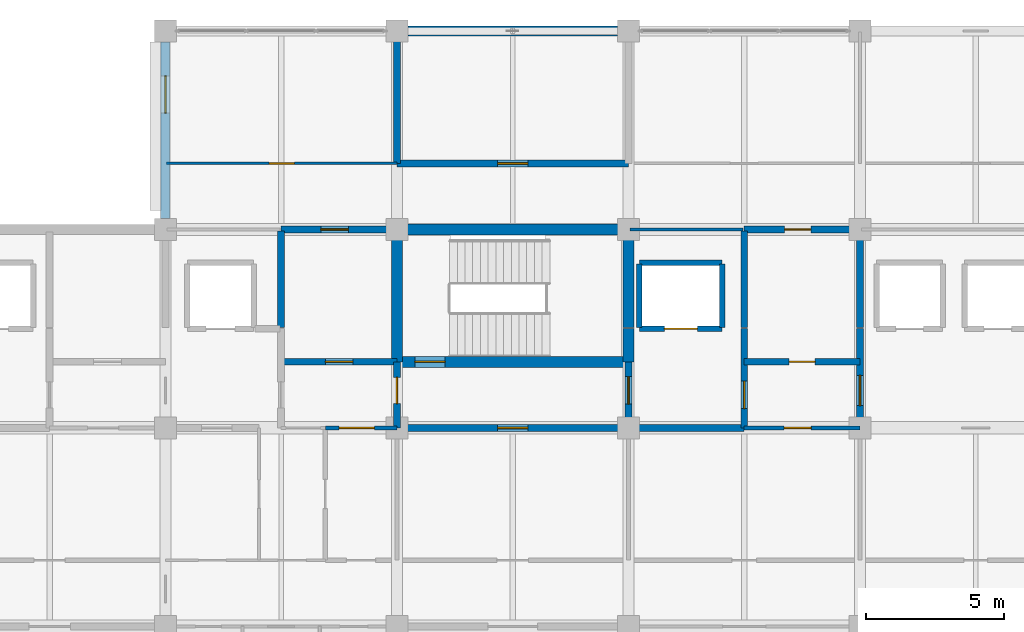
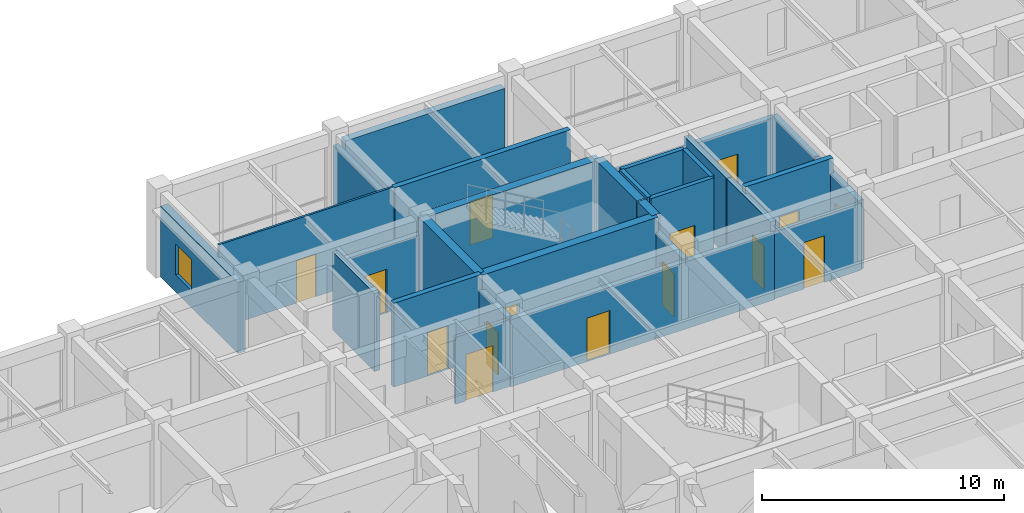
# One storey, part 27 of 40: 29 walls, 15 doors, 1 window, 16 openings.
"""IFC4 building model written with IfcOpenShell, lengths in metres."""

from ifc_helpers import new_model, si_unit, direction, frame, frame_2d, origin, place, context, subcontext, project, spatial, rectangle, extrude, material, layer, layer_set, type_object, element, fill, save


model = new_model("IFC4")

# Units and contexts
model_context = context("Model", 3, precision=1e-05, world=origin(), true_north=direction((0.0, 1.0)))
body_context = subcontext(model_context, "Body", "Model", "MODEL_VIEW")
ifc_project = project(units=[si_unit("LENGTHUNIT", "METRE"), si_unit("AREAUNIT", "SQUARE_METRE"), si_unit("VOLUMEUNIT", "CUBIC_METRE"), si_unit("PLANEANGLEUNIT", "RADIAN"), si_unit("MASSUNIT", "GRAM", prefix="KILO")], contexts=[model_context])

# Site, building, storey
site_placement = place(None, origin())
site = spatial("IfcSite", under=ifc_project, at=site_placement, CompositionType="ELEMENT")
building_placement = place(site_placement, origin())
building = spatial("IfcBuilding", under=site, at=building_placement, Name="Chengyuan Square Courthouse", CompositionType="ELEMENT")
storey_placement = place(building_placement, frame((0.0, 0.0, 21.60009765625)))
storey = spatial("IfcBuildingStorey", under=building, at=storey_placement, Name="L05", CompositionType="ELEMENT", Elevation=21.60009765625)

# Wall, opening, window
ifc_material_1 = material(Name="Concrete C40", Category="concrete")
ifc_layer_1 = layer(ifc_material_1, 0.35009765625)
ifc_layer_set_1 = layer_set([ifc_layer_1], Name="Concrete C40")
wall_type_1 = type_object("IfcWallType", Name="WL-EW2", PredefinedType="STANDARD", material=ifc_layer_set_1)
wall_1_placement = place(storey_placement, frame((50.39990234375, 108.39501953125, 0.0), z_axis=(0.0, 0.0, 1.0), x_axis=(0.0, 1.0, 0.0)))
wall_1 = element("IfcWall", 1, at=wall_1_placement, inside=storey, type_object=wall_type_1, Name="Exterior Wall WL-L05-E344", PredefinedType="STANDARD", context=body_context, shape_type="SweptSolid", body=[
    extrude(rectangle(XDim=6.409912109375, YDim=0.35009765625, at=frame_2d((3.205078125, 0.0))), origin(), (0.0, 0.0, 1.0), 3.58984375),
])
opening_1_placement = place(wall_1_placement, frame((3.830078125, 0.0, 0.85009765625)))
opening_1 = element("IfcOpeningElement", 2, at=opening_1_placement, cuts=wall_1, Name="Opening WN-114", PredefinedType="OPENING", context=body_context, shape_type="SweptSolid", body=[
    extrude(rectangle(XDim=1.35009765625, YDim=1.56005859375, at=frame_2d((0.675048828125, 0.780029296875))), frame((0.0, 0.18701171875, 0.0), z_axis=(0.0, -1.0, 0.0), x_axis=(1.0, 0.0, 0.0)), (0.0, 0.0, 1.0), 0.3740234375),
])
ifc_material_2 = material(Name="Thermally Broken Aluminium Triple Low-E Window", Category="aluminium")
window_type = type_object("IfcWindowType", Name="WT-21", PartitioningType="SINGLE_PANEL", PredefinedType="WINDOW", material=ifc_material_2)
window_placement = place(opening_1_placement, origin())
window = element("IfcWindow", 3, at=window_placement, inside=storey, type_object=window_type, Name="Facade Window WN-114", OverallHeight=1.56005859375, OverallWidth=1.35009765625, PartitioningType="SINGLE_PANEL", PredefinedType="WINDOW", context=body_context, shape_type="SweptSolid", body=[
    extrude(rectangle(XDim=1.35009765625, YDim=1.56005859375, at=frame_2d((0.675048828125, 0.780029296875))), frame((0.0, 0.030029296875, 0.0), z_axis=(0.0, -1.0, 0.0), x_axis=(1.0, 0.0, 0.0)), (0.0, 0.0, 1.0), 0.06005859375),
])
fill(opening_1, window)

# Wall
wall_2_placement = place(storey_placement, frame((59.195068359375, 115.199951171875, 0.0), z_axis=(0.0, 0.0, 1.0), x_axis=(1.0, 0.0, 0.0)))
element("IfcWall", 4, at=wall_2_placement, inside=storey, type_object=wall_type_1, Name="Exterior Wall WL-L05-E345", PredefinedType="STANDARD", context=body_context, shape_type="SweptSolid", body=[
    extrude(rectangle(XDim=7.60986328125, YDim=0.35009765625, at=frame_2d((3.804931640625, 0.0))), origin(), (0.0, 0.0, 1.0), 3.58984375),
])

# Wall, opening, door
ifc_layer_2 = layer(ifc_material_1, 0.25)
ifc_layer_set_2 = layer_set([ifc_layer_2], Name="Concrete C40")
wall_type_2 = type_object("IfcWallType", Name="WL-FW1", PredefinedType="STANDARD", material=ifc_layer_set_2)
wall_3_placement = place(storey_placement, frame((58.800048828125, 100.800048828125, 0.0), z_axis=(0.0, 0.0, 1.0), x_axis=(1.0, 0.0, 0.0)))
wall_3 = element("IfcWall", 5, at=wall_3_placement, inside=storey, type_object=wall_type_2, Name="Interior Wall WL-L05-I2160", PredefinedType="STANDARD", context=body_context, shape_type="SweptSolid", body=[
    extrude(rectangle(XDim=12.599853515625, YDim=0.25, at=frame_2d((6.2998046875, 0.0))), origin(), (0.0, 0.0, 1.0), 3.389892578125),
])
opening_2_placement = place(wall_3_placement, frame((3.64990234375, 0.0, 0.0)))
opening_2 = element("IfcOpeningElement", 6, at=opening_2_placement, cuts=wall_3, Name="Opening DR-1927", PredefinedType="OPENING", context=body_context, shape_type="SweptSolid", body=[
    extrude(rectangle(XDim=1.10009765625, YDim=2.199951171875, at=frame_2d((0.550048828125, 1.10009765625))), frame((0.0, 0.136962890625, 0.0), z_axis=(0.0, -1.0, 0.0), x_axis=(1.0, 0.0, 0.0)), (0.0, 0.0, 1.0), 0.27392578125),
])
ifc_material_3 = material(Name="Steel Q235B Fire Door", Category="steel")
door_type_1 = type_object("IfcDoorType", Name="DT-10", OperationType="NOTDEFINED", PredefinedType="DOOR", material=ifc_material_3)
door_1_placement = place(opening_2_placement, origin())
door_1 = element("IfcDoor", 7, at=door_1_placement, inside=storey, type_object=door_type_1, Name="Interior Door DR-1927", OperationType="SINGLE_SWING_RIGHT", OverallHeight=2.199951171875, OverallWidth=1.10009765625, PredefinedType="DOOR", context=body_context, shape_type="SweptSolid", body=[
    extrude(rectangle(XDim=1.10009765625, YDim=2.199951171875, at=frame_2d((0.550048828125, 1.10009765625))), frame((0.0, 0.02490234375, 0.0), z_axis=(0.0, -1.0, 0.0), x_axis=(1.0, 0.0, 0.0)), (0.0, 0.0, 1.0), 0.050048828125),
])
fill(opening_2, door_1)

wall_4_placement = place(storey_placement, frame((54.60009765625, 103.199951171875, 0.0), z_axis=(0.0, 0.0, 1.0), x_axis=(1.0, 0.0, 0.0)))
wall_4 = element("IfcWall", 8, at=wall_4_placement, inside=storey, type_object=wall_type_2, Name="Interior Wall WL-L05-I2174", PredefinedType="STANDARD", context=body_context, shape_type="SweptSolid", body=[
    extrude(rectangle(XDim=4.199951171875, YDim=0.25, at=frame_2d((2.10009765625, 0.0))), origin(), (0.0, 0.0, 1.0), 4.239990234375),
])
opening_3_placement = place(wall_4_placement, frame((1.60009765625, 0.0, 0.0)))
opening_3 = element("IfcOpeningElement", 9, at=opening_3_placement, cuts=wall_4, Name="Opening DR-1976", PredefinedType="OPENING", context=body_context, shape_type="SweptSolid", body=[
    extrude(rectangle(XDim=1.0, YDim=2.199951171875, at=frame_2d((0.5, 1.10009765625))), frame((0.0, 0.136962890625, 0.0), z_axis=(0.0, -1.0, 0.0), x_axis=(1.0, 0.0, 0.0)), (0.0, 0.0, 1.0), 0.27392578125),
])
door_type_2 = type_object("IfcDoorType", Name="DT-11", OperationType="NOTDEFINED", PredefinedType="DOOR", material=ifc_material_3)
door_2_placement = place(opening_3_placement, origin())
door_2 = element("IfcDoor", 10, at=door_2_placement, inside=storey, type_object=door_type_2, Name="Interior Door DR-1976", OperationType="SINGLE_SWING_RIGHT", OverallHeight=2.199951171875, OverallWidth=1.0, PredefinedType="DOOR", context=body_context, shape_type="SweptSolid", body=[
    extrude(rectangle(XDim=1.0, YDim=2.199951171875, at=frame_2d((0.5, 1.10009765625))), frame((0.0, 0.02490234375, 0.0), z_axis=(0.0, -1.0, 0.0), x_axis=(1.0, 0.0, 0.0)), (0.0, 0.0, 1.0), 0.050048828125),
])
fill(opening_3, door_2)

wall_5_placement = place(storey_placement, frame((71.39990234375, 103.199951171875, 0.0), z_axis=(0.0, 0.0, 1.0), x_axis=(1.0, 0.0, 0.0)))
wall_5 = element("IfcWall", 11, at=wall_5_placement, inside=storey, type_object=wall_type_2, Name="Interior Wall WL-L05-I2176", PredefinedType="STANDARD", context=body_context, shape_type="SweptSolid", body=[
    extrude(rectangle(XDim=4.2001953125, YDim=0.25, at=frame_2d((2.10009765625, 0.0))), origin(), (0.0, 0.0, 1.0), 4.239990234375),
])
opening_4_placement = place(wall_5_placement, frame((1.625, 0.0, 0.0)))
opening_4 = element("IfcOpeningElement", 12, at=opening_4_placement, cuts=wall_5, Name="Opening DR-1944", PredefinedType="OPENING", context=body_context, shape_type="SweptSolid", body=[
    extrude(rectangle(XDim=0.949951171875, YDim=2.14990234375, at=frame_2d((0.47509765625, 1.074951171875))), frame((0.0, 0.136962890625, 0.0), z_axis=(0.0, -1.0, 0.0), x_axis=(1.0, 0.0, 0.0)), (0.0, 0.0, 1.0), 0.27392578125),
])
door_type_3 = type_object("IfcDoorType", Name="DT-12", OperationType="NOTDEFINED", PredefinedType="DOOR", material=ifc_material_3)
door_3_placement = place(opening_4_placement, origin())
door_3 = element("IfcDoor", 13, at=door_3_placement, inside=storey, type_object=door_type_3, Name="Interior Door DR-1944", OperationType="SINGLE_SWING_LEFT", OverallHeight=2.14990234375, OverallWidth=0.949951171875, PredefinedType="DOOR", context=body_context, shape_type="SweptSolid", body=[
    extrude(rectangle(XDim=0.949951171875, YDim=2.14990234375, at=frame_2d((0.47509765625, 1.074951171875))), frame((0.0, 0.02490234375, 0.0), z_axis=(0.0, -1.0, 0.0), x_axis=(1.0, 0.0, 0.0)), (0.0, 0.0, 1.0), 0.050048828125),
])
fill(opening_4, door_3)

wall_6_placement = place(storey_placement, frame((54.60009765625, 108.0, 0.0), z_axis=(0.0, 0.0, 1.0), x_axis=(1.0, 0.0, 0.0)))
wall_6 = element("IfcWall", 14, at=wall_6_placement, inside=storey, type_object=wall_type_2, Name="Interior Wall WL-L05-I2206", PredefinedType="STANDARD", context=body_context, shape_type="SweptSolid", body=[
    extrude(rectangle(XDim=4.199951171875, YDim=0.25, at=frame_2d((2.10009765625, 0.0))), origin(), (0.0, 0.0, 1.0), 3.389892578125),
])
opening_5_placement = place(wall_6_placement, frame((1.43994140625, 0.0, 0.0)))
opening_5 = element("IfcOpeningElement", 15, at=opening_5_placement, cuts=wall_6, Name="Opening DR-1979", PredefinedType="OPENING", context=body_context, shape_type="SweptSolid", body=[
    extrude(rectangle(XDim=1.0, YDim=2.199951171875, at=frame_2d((0.5, 1.10009765625))), frame((0.0, 0.136962890625, 0.0), z_axis=(0.0, -1.0, 0.0), x_axis=(1.0, 0.0, 0.0)), (0.0, 0.0, 1.0), 0.27392578125),
])
door_4_placement = place(opening_5_placement, origin())
door_4 = element("IfcDoor", 16, at=door_4_placement, inside=storey, type_object=door_type_2, Name="Interior Door DR-1979", OperationType="SINGLE_SWING_LEFT", OverallHeight=2.199951171875, OverallWidth=1.0, PredefinedType="DOOR", context=body_context, shape_type="SweptSolid", body=[
    extrude(rectangle(XDim=1.0, YDim=2.199951171875, at=frame_2d((0.5, 1.10009765625))), frame((0.0, 0.02490234375, 0.0), z_axis=(0.0, -1.0, 0.0), x_axis=(1.0, 0.0, 0.0)), (0.0, 0.0, 1.0), 0.050048828125),
])
fill(opening_5, door_4)

wall_7_placement = place(storey_placement, frame((71.39990234375, 108.0, 0.0), z_axis=(0.0, 0.0, 1.0), x_axis=(1.0, 0.0, 0.0)))
wall_7 = element("IfcWall", 17, at=wall_7_placement, inside=storey, type_object=wall_type_2, Name="Interior Wall WL-L05-I2209", PredefinedType="STANDARD", context=body_context, shape_type="SweptSolid", body=[
    extrude(rectangle(XDim=4.2001953125, YDim=0.25, at=frame_2d((2.10009765625, 0.0))), origin(), (0.0, 0.0, 1.0), 3.389892578125),
])
opening_6_placement = place(wall_7_placement, frame((1.465087890625, 0.0, 0.0)))
opening_6 = element("IfcOpeningElement", 18, at=opening_6_placement, cuts=wall_7, Name="Opening DR-1947", PredefinedType="OPENING", context=body_context, shape_type="SweptSolid", body=[
    extrude(rectangle(XDim=0.949951171875, YDim=2.14990234375, at=frame_2d((0.47509765625, 1.074951171875))), frame((0.0, 0.136962890625, 0.0), z_axis=(0.0, -1.0, 0.0), x_axis=(1.0, 0.0, 0.0)), (0.0, 0.0, 1.0), 0.27392578125),
])
door_5_placement = place(opening_6_placement, origin())
door_5 = element("IfcDoor", 19, at=door_5_placement, inside=storey, type_object=door_type_3, Name="Interior Door DR-1947", OperationType="SINGLE_SWING_RIGHT", OverallHeight=2.14990234375, OverallWidth=0.949951171875, PredefinedType="DOOR", context=body_context, shape_type="SweptSolid", body=[
    extrude(rectangle(XDim=0.949951171875, YDim=2.14990234375, at=frame_2d((0.47509765625, 1.074951171875))), frame((0.0, 0.02490234375, 0.0), z_axis=(0.0, -1.0, 0.0), x_axis=(1.0, 0.0, 0.0)), (0.0, 0.0, 1.0), 0.050048828125),
])
fill(opening_6, door_5)

wall_8_placement = place(storey_placement, frame((58.800048828125, 110.39990234375, 0.0), z_axis=(0.0, 0.0, 1.0), x_axis=(1.0, 0.0, 0.0)))
wall_8 = element("IfcWall", 20, at=wall_8_placement, inside=storey, type_object=wall_type_2, Name="Interior Wall WL-L05-I2219", PredefinedType="STANDARD", context=body_context, shape_type="SweptSolid", body=[
    extrude(rectangle(XDim=8.39990234375, YDim=0.25, at=frame_2d((4.199951171875, 0.0))), origin(), (0.0, 0.0, 1.0), 4.239990234375),
])
opening_7_placement = place(wall_8_placement, frame((3.64990234375, 0.0, 0.0)))
opening_7 = element("IfcOpeningElement", 21, at=opening_7_placement, cuts=wall_8, Name="Opening DR-2089", PredefinedType="OPENING", context=body_context, shape_type="SweptSolid", body=[
    extrude(rectangle(XDim=1.10009765625, YDim=2.199951171875, at=frame_2d((0.550048828125, 1.10009765625))), frame((0.0, 0.136962890625, 0.0), z_axis=(0.0, -1.0, 0.0), x_axis=(1.0, 0.0, 0.0)), (0.0, 0.0, 1.0), 0.27392578125),
])
door_6_placement = place(opening_7_placement, origin())
door_6 = element("IfcDoor", 22, at=door_6_placement, inside=storey, type_object=door_type_1, Name="Interior Door DR-2089", OperationType="SINGLE_SWING_LEFT", OverallHeight=2.199951171875, OverallWidth=1.10009765625, PredefinedType="DOOR", context=body_context, shape_type="SweptSolid", body=[
    extrude(rectangle(XDim=1.10009765625, YDim=2.199951171875, at=frame_2d((0.550048828125, 1.10009765625))), frame((0.0, 0.02490234375, 0.0), z_axis=(0.0, -1.0, 0.0), x_axis=(1.0, 0.0, 0.0)), (0.0, 0.0, 1.0), 0.050048828125),
])
fill(opening_7, door_6)

# Wall
wall_9_placement = place(storey_placement, frame((54.60009765625, 104.449951171875, 0.0), z_axis=(0.0, 0.0, 1.0), x_axis=(0.0, 1.0, 0.0)))
element("IfcWall", 23, at=wall_9_placement, inside=storey, type_object=wall_type_2, Name="Interior Wall WL-L05-I2249", PredefinedType="STANDARD", context=body_context, shape_type="SweptSolid", body=[
    extrude(rectangle(XDim=3.5, YDim=0.25, at=frame_2d((1.75, 0.0))), origin(), (0.0, 0.0, 1.0), 3.93994140625),
])

# Wall, opening, door
wall_10_placement = place(storey_placement, frame((58.800048828125, 100.800048828125, 0.0), z_axis=(0.0, 0.0, 1.0), x_axis=(0.0, 1.0, 0.0)))
wall_10 = element("IfcWall", 24, at=wall_10_placement, inside=storey, type_object=wall_type_2, Name="Interior Wall WL-L05-I2256", PredefinedType="STANDARD", context=body_context, shape_type="SweptSolid", body=[
    extrude(rectangle(XDim=2.39990234375, YDim=0.25, at=frame_2d((1.199951171875, 0.0))), origin(), (0.0, 0.0, 1.0), 3.489990234375),
])
opening_8_placement = place(wall_10_placement, frame((0.885009765625, 0.0, 0.0)))
opening_8 = element("IfcOpeningElement", 25, at=opening_8_placement, cuts=wall_10, Name="Opening DR-1926", PredefinedType="OPENING", context=body_context, shape_type="SweptSolid", body=[
    extrude(rectangle(XDim=0.949951171875, YDim=2.14990234375, at=frame_2d((0.47509765625, 1.074951171875))), frame((0.0, 0.136962890625, 0.0), z_axis=(0.0, -1.0, 0.0), x_axis=(1.0, 0.0, 0.0)), (0.0, 0.0, 1.0), 0.27392578125),
])
door_7_placement = place(opening_8_placement, origin())
door_7 = element("IfcDoor", 26, at=door_7_placement, inside=storey, type_object=door_type_3, Name="Interior Door DR-1926", OperationType="SINGLE_SWING_LEFT", OverallHeight=2.14990234375, OverallWidth=0.949951171875, PredefinedType="DOOR", context=body_context, shape_type="SweptSolid", body=[
    extrude(rectangle(XDim=0.949951171875, YDim=2.14990234375, at=frame_2d((0.47509765625, 1.074951171875))), frame((0.0, 0.02490234375, 0.0), z_axis=(0.0, -1.0, 0.0), x_axis=(1.0, 0.0, 0.0)), (0.0, 0.0, 1.0), 0.050048828125),
])
fill(opening_8, door_7)

# Wall
wall_11_placement = place(storey_placement, frame((58.800048828125, 110.39990234375, 0.0), z_axis=(0.0, 0.0, 1.0), x_axis=(0.0, 1.0, 0.0)))
element("IfcWall", 27, at=wall_11_placement, inside=storey, type_object=wall_type_2, Name="Interior Wall WL-L05-I2258", PredefinedType="STANDARD", context=body_context, shape_type="SweptSolid", body=[
    extrude(rectangle(XDim=4.760009765625, YDim=0.25, at=frame_2d((2.3798828125, 0.0))), origin(), (0.0, 0.0, 1.0), 3.489990234375),
])

# Wall, opening, door
wall_12_placement = place(storey_placement, frame((67.199951171875, 100.800048828125, 0.0), z_axis=(0.0, 0.0, 1.0), x_axis=(0.0, 1.0, 0.0)))
wall_12 = element("IfcWall", 28, at=wall_12_placement, inside=storey, type_object=wall_type_2, Name="Interior Wall WL-L05-I2264", PredefinedType="STANDARD", context=body_context, shape_type="SweptSolid", body=[
    extrude(rectangle(XDim=2.39990234375, YDim=0.25, at=frame_2d((1.199951171875, 0.0))), origin(), (0.0, 0.0, 1.0), 3.489990234375),
])
opening_9_placement = place(wall_12_placement, frame((0.860107421875, 0.0, 0.0)))
opening_9 = element("IfcOpeningElement", 29, at=opening_9_placement, cuts=wall_12, Name="Opening DR-1925", PredefinedType="OPENING", context=body_context, shape_type="SweptSolid", body=[
    extrude(rectangle(XDim=1.0, YDim=2.199951171875, at=frame_2d((0.5, 1.10009765625))), frame((0.0, 0.136962890625, 0.0), z_axis=(0.0, -1.0, 0.0), x_axis=(1.0, 0.0, 0.0)), (0.0, 0.0, 1.0), 0.27392578125),
])
door_8_placement = place(opening_9_placement, origin())
door_8 = element("IfcDoor", 30, at=door_8_placement, inside=storey, type_object=door_type_2, Name="Interior Door DR-1925", OperationType="SINGLE_SWING_RIGHT", OverallHeight=2.199951171875, OverallWidth=1.0, PredefinedType="DOOR", context=body_context, shape_type="SweptSolid", body=[
    extrude(rectangle(XDim=1.0, YDim=2.199951171875, at=frame_2d((0.5, 1.10009765625))), frame((0.0, 0.02490234375, 0.0), z_axis=(0.0, -1.0, 0.0), x_axis=(1.0, 0.0, 0.0)), (0.0, 0.0, 1.0), 0.050048828125),
])
fill(opening_9, door_8)

wall_13_placement = place(storey_placement, frame((71.39990234375, 100.800048828125, 0.0), z_axis=(0.0, 0.0, 1.0), x_axis=(0.0, 1.0, 0.0)))
wall_13 = element("IfcWall", 31, at=wall_13_placement, inside=storey, type_object=wall_type_2, Name="Interior Wall WL-L05-I2272", PredefinedType="STANDARD", context=body_context, shape_type="SweptSolid", body=[
    extrude(rectangle(XDim=3.599853515625, YDim=0.25, at=frame_2d((1.7998046875, 0.0))), origin(), (0.0, 0.0, 1.0), 3.889892578125),
])
opening_10_placement = place(wall_13_placement, frame((0.699951171875, 0.0, 0.0)))
opening_10 = element("IfcOpeningElement", 32, at=opening_10_placement, cuts=wall_13, Name="Opening DR-1943", PredefinedType="OPENING", context=body_context, shape_type="SweptSolid", body=[
    extrude(rectangle(XDim=1.0, YDim=2.199951171875, at=frame_2d((0.5, 1.10009765625))), frame((0.0, 0.136962890625, 0.0), z_axis=(0.0, -1.0, 0.0), x_axis=(1.0, 0.0, 0.0)), (0.0, 0.0, 1.0), 0.27392578125),
])
door_9_placement = place(opening_10_placement, origin())
door_9 = element("IfcDoor", 33, at=door_9_placement, inside=storey, type_object=door_type_2, Name="Interior Door DR-1943", OperationType="SINGLE_SWING_RIGHT", OverallHeight=2.199951171875, OverallWidth=1.0, PredefinedType="DOOR", context=body_context, shape_type="SweptSolid", body=[
    extrude(rectangle(XDim=1.0, YDim=2.199951171875, at=frame_2d((0.5, 1.10009765625))), frame((0.0, 0.02490234375, 0.0), z_axis=(0.0, -1.0, 0.0), x_axis=(1.0, 0.0, 0.0)), (0.0, 0.0, 1.0), 0.050048828125),
])
fill(opening_10, door_9)

# Wall
wall_14_placement = place(storey_placement, frame((71.39990234375, 104.449951171875, 0.0), z_axis=(0.0, 0.0, 1.0), x_axis=(0.0, 1.0, 0.0)))
element("IfcWall", 34, at=wall_14_placement, inside=storey, type_object=wall_type_2, Name="Interior Wall WL-L05-I2273", PredefinedType="STANDARD", context=body_context, shape_type="SweptSolid", body=[
    extrude(rectangle(XDim=3.5, YDim=0.25, at=frame_2d((1.75, 0.0))), origin(), (0.0, 0.0, 1.0), 3.889892578125),
])

# Wall, opening, door
wall_15_placement = place(storey_placement, frame((75.60009765625, 100.800048828125, 0.0), z_axis=(0.0, 0.0, 1.0), x_axis=(0.0, 1.0, 0.0)))
wall_15 = element("IfcWall", 35, at=wall_15_placement, inside=storey, type_object=wall_type_2, Name="Interior Wall WL-L05-I2280", PredefinedType="STANDARD", context=body_context, shape_type="SweptSolid", body=[
    extrude(rectangle(XDim=3.599853515625, YDim=0.25, at=frame_2d((1.7998046875, 0.0))), origin(), (0.0, 0.0, 1.0), 3.489990234375),
])
opening_11_placement = place(wall_15_placement, frame((0.81005859375, 0.0, 0.0)))
opening_11 = element("IfcOpeningElement", 36, at=opening_11_placement, cuts=wall_15, Name="Opening DR-1945", PredefinedType="OPENING", context=body_context, shape_type="SweptSolid", body=[
    extrude(rectangle(XDim=1.10009765625, YDim=2.199951171875, at=frame_2d((0.550048828125, 1.10009765625))), frame((0.0, 0.136962890625, 0.0), z_axis=(0.0, -1.0, 0.0), x_axis=(1.0, 0.0, 0.0)), (0.0, 0.0, 1.0), 0.27392578125),
])
door_10_placement = place(opening_11_placement, origin())
door_10 = element("IfcDoor", 37, at=door_10_placement, inside=storey, type_object=door_type_1, Name="Interior Door DR-1945", OperationType="SINGLE_SWING_RIGHT", OverallHeight=2.199951171875, OverallWidth=1.10009765625, PredefinedType="DOOR", context=body_context, shape_type="SweptSolid", body=[
    extrude(rectangle(XDim=1.10009765625, YDim=2.199951171875, at=frame_2d((0.550048828125, 1.10009765625))), frame((0.0, 0.02490234375, 0.0), z_axis=(0.0, -1.0, 0.0), x_axis=(1.0, 0.0, 0.0)), (0.0, 0.0, 1.0), 0.050048828125),
])
fill(opening_11, door_10)

# Wall
wall_16_placement = place(storey_placement, frame((75.60009765625, 104.449951171875, 0.0), z_axis=(0.0, 0.0, 1.0), x_axis=(0.0, 1.0, 0.0)))
element("IfcWall", 38, at=wall_16_placement, inside=storey, type_object=wall_type_2, Name="Interior Wall WL-L05-I2281", PredefinedType="STANDARD", context=body_context, shape_type="SweptSolid", body=[
    extrude(rectangle(XDim=3.5, YDim=0.25, at=frame_2d((1.75, 0.0))), origin(), (0.0, 0.0, 1.0), 3.489990234375),
])

# Wall, opening, door
ifc_material_4 = material(Name="Deliberation Room Sound-Insulated Partition")
ifc_layer_3 = layer(ifc_material_4, 0.14990234375)
ifc_layer_set_3 = layer_set([ifc_layer_3], Name="Deliberation Room Sound-Insulated Partition")
wall_type_3 = type_object("IfcWallType", Name="WL-PT3", PredefinedType="STANDARD", material=ifc_layer_set_3)
wall_17_placement = place(storey_placement, frame((56.199951171875, 100.800048828125, 0.0), z_axis=(0.0, 0.0, 1.0), x_axis=(1.0, 0.0, 0.0)))
wall_17 = element("IfcWall", 39, at=wall_17_placement, inside=storey, type_object=wall_type_3, Name="Interior Wall WL-L05-I2159", PredefinedType="STANDARD", context=body_context, shape_type="SweptSolid", body=[
    extrude(rectangle(XDim=2.60009765625, YDim=0.14990234375, at=frame_2d((1.300048828125, 0.0))), origin(), (0.0, 0.0, 1.0), 3.389892578125),
])
opening_12_placement = place(wall_17_placement, frame((0.5, 0.0, 0.0)))
opening_12 = element("IfcOpeningElement", 40, at=opening_12_placement, cuts=wall_17, Name="Opening DR-1978", PredefinedType="OPENING", context=body_context, shape_type="SweptSolid", body=[
    extrude(rectangle(XDim=1.280029296875, YDim=2.35009765625, at=frame_2d((0.64013671875, 1.175048828125))), frame((0.0, 0.0869140625, 0.0), z_axis=(0.0, -1.0, 0.0), x_axis=(1.0, 0.0, 0.0)), (0.0, 0.0, 1.0), 0.173828125),
])
ifc_material_5 = material(Name="Acoustic Solid-Core Timber Door", Category="wood")
door_type_4 = type_object("IfcDoorType", Name="DT-38", OperationType="NOTDEFINED", PredefinedType="DOOR", material=ifc_material_5)
door_11_placement = place(opening_12_placement, origin())
door_11 = element("IfcDoor", 41, at=door_11_placement, inside=storey, type_object=door_type_4, Name="Interior Door DR-1978", OperationType="SINGLE_SWING_RIGHT", OverallHeight=2.35009765625, OverallWidth=1.280029296875, PredefinedType="DOOR", context=body_context, shape_type="SweptSolid", body=[
    extrude(rectangle(XDim=1.280029296875, YDim=2.35009765625, at=frame_2d((0.64013671875, 1.175048828125))), frame((0.0, 0.02490234375, 0.0), z_axis=(0.0, -1.0, 0.0), x_axis=(1.0, 0.0, 0.0)), (0.0, 0.0, 1.0), 0.050048828125),
])
fill(opening_12, door_11)

wall_18_placement = place(storey_placement, frame((71.39990234375, 100.800048828125, 0.0), z_axis=(0.0, 0.0, 1.0), x_axis=(1.0, 0.0, 0.0)))
wall_18 = element("IfcWall", 42, at=wall_18_placement, inside=storey, type_object=wall_type_3, Name="Interior Wall WL-L05-I2161", PredefinedType="STANDARD", context=body_context, shape_type="SweptSolid", body=[
    extrude(rectangle(XDim=4.2001953125, YDim=0.14990234375, at=frame_2d((2.10009765625, 0.0))), origin(), (0.0, 0.0, 1.0), 3.389892578125),
])
opening_13_placement = place(wall_18_placement, frame((1.449951171875, 0.0, 0.0)))
opening_13 = element("IfcOpeningElement", 43, at=opening_13_placement, cuts=wall_18, Name="Opening DR-1946", PredefinedType="OPENING", context=body_context, shape_type="SweptSolid", body=[
    extrude(rectangle(XDim=0.97998046875, YDim=2.35009765625, at=frame_2d((0.489990234375, 1.175048828125))), frame((0.0, 0.0869140625, 0.0), z_axis=(0.0, -1.0, 0.0), x_axis=(1.0, 0.0, 0.0)), (0.0, 0.0, 1.0), 0.173828125),
])
door_type_5 = type_object("IfcDoorType", Name="DT-40", OperationType="NOTDEFINED", PredefinedType="DOOR", material=ifc_material_5)
door_12_placement = place(opening_13_placement, origin())
door_12 = element("IfcDoor", 44, at=door_12_placement, inside=storey, type_object=door_type_5, Name="Interior Door DR-1946", OperationType="SINGLE_SWING_LEFT", OverallHeight=2.35009765625, OverallWidth=0.97998046875, PredefinedType="DOOR", context=body_context, shape_type="SweptSolid", body=[
    extrude(rectangle(XDim=0.97998046875, YDim=2.35009765625, at=frame_2d((0.489990234375, 1.175048828125))), frame((0.0, 0.02490234375, 0.0), z_axis=(0.0, -1.0, 0.0), x_axis=(1.0, 0.0, 0.0)), (0.0, 0.0, 1.0), 0.050048828125),
])
fill(opening_13, door_12)

# Wall
ifc_material_6 = material(Name="Gypsum Plasterboard Acoustic Stud Partition")
ifc_layer_4 = layer(ifc_material_6, 0.10009765625)
ifc_layer_set_4 = layer_set([ifc_layer_4], Name="Gypsum Plasterboard Acoustic Stud Partition")
wall_type_4 = type_object("IfcWallType", Name="WL-PT6", PredefinedType="STANDARD", material=ifc_layer_set_4)
wall_19_placement = place(storey_placement, frame((67.25, 108.0, 0.0), z_axis=(0.0, 0.0, 1.0), x_axis=(1.0, 0.0, 0.0)))
element("IfcWall", 45, at=wall_19_placement, inside=storey, type_object=wall_type_4, Name="Interior Wall WL-L05-I2208", PredefinedType="STANDARD", context=body_context, shape_type="SweptSolid", body=[
    extrude(rectangle(XDim=4.10009765625, YDim=0.10009765625, at=frame_2d((2.050048828125, 0.0))), origin(), (0.0, 0.0, 1.0), 3.389892578125),
])

# Wall, opening, door
wall_20_placement = place(storey_placement, frame((50.43994140625, 110.39990234375, 0.0), z_axis=(0.0, 0.0, 1.0), x_axis=(1.0, 0.0, 0.0)))
wall_20 = element("IfcWall", 46, at=wall_20_placement, inside=storey, type_object=wall_type_4, Name="Interior Wall WL-L05-I2218", PredefinedType="STANDARD", context=body_context, shape_type="SweptSolid", body=[
    extrude(rectangle(XDim=8.360107421875, YDim=0.10009765625, at=frame_2d((4.18017578125, 0.0))), origin(), (0.0, 0.0, 1.0), 4.239990234375),
])
opening_14_placement = place(wall_20_placement, frame((3.719970703125, 0.0, 0.0)))
opening_14 = element("IfcOpeningElement", 47, at=opening_14_placement, cuts=wall_20, Name="Opening DR-2088", PredefinedType="OPENING", context=body_context, shape_type="SweptSolid", body=[
    extrude(rectangle(XDim=0.919921875, YDim=2.14990234375, at=frame_2d((0.4599609375, 1.074951171875))), frame((0.0, 0.06201171875, 0.0), z_axis=(0.0, -1.0, 0.0), x_axis=(1.0, 0.0, 0.0)), (0.0, 0.0, 1.0), 0.1240234375),
])
door_type_6 = type_object("IfcDoorType", Name="DT-29", OperationType="NOTDEFINED", PredefinedType="DOOR", material=ifc_material_5)
door_13_placement = place(opening_14_placement, origin())
door_13 = element("IfcDoor", 48, at=door_13_placement, inside=storey, type_object=door_type_6, Name="Interior Door DR-2088", OperationType="SINGLE_SWING_RIGHT", OverallHeight=2.14990234375, OverallWidth=0.919921875, PredefinedType="DOOR", context=body_context, shape_type="SweptSolid", body=[
    extrude(rectangle(XDim=0.919921875, YDim=2.14990234375, at=frame_2d((0.4599609375, 1.074951171875))), frame((0.0, 0.02490234375, 0.0), z_axis=(0.0, -1.0, 0.0), x_axis=(1.0, 0.0, 0.0)), (0.0, 0.0, 1.0), 0.050048828125),
])
fill(opening_14, door_13)

ifc_material_7 = material(Name="Reinforced Masonry Shaft Enclosure", Category="masonry")
ifc_layer_5 = layer(ifc_material_7, 0.199951171875)
ifc_layer_set_5 = layer_set([ifc_layer_5], Name="Reinforced Masonry Shaft Enclosure")
wall_type_5 = type_object("IfcWallType", Name="WL-SH1", PredefinedType="STANDARD", material=ifc_layer_set_5)
wall_21_placement = place(storey_placement, frame((67.60009765625, 104.39990234375, 0.0), z_axis=(0.0, 0.0, 1.0), x_axis=(1.0, 0.0, 0.0)))
wall_21 = element("IfcWall", 49, at=wall_21_placement, inside=storey, type_object=wall_type_5, Name="Interior Wall WL-L05-I2185", PredefinedType="STANDARD", context=body_context, shape_type="SweptSolid", body=[
    extrude(rectangle(XDim=3.0, YDim=0.199951171875, at=frame_2d((1.5, 0.0))), origin(), (0.0, 0.0, 1.0), 4.239990234375),
])
opening_15_placement = place(wall_21_placement, frame((0.89990234375, 0.0, 0.0)))
opening_15 = element("IfcOpeningElement", 50, at=opening_15_placement, cuts=wall_21, Name="Opening LD-085", PredefinedType="OPENING", context=body_context, shape_type="SweptSolid", body=[
    extrude(rectangle(XDim=1.199951171875, YDim=2.14990234375, at=frame_2d((0.60009765625, 1.074951171875))), frame((0.0, 0.112060546875, 0.0), z_axis=(0.0, -1.0, 0.0), x_axis=(1.0, 0.0, 0.0)), (0.0, 0.0, 1.0), 0.223876953125),
])
ifc_material_8 = material(Name="Stainless Steel S30408 Lift Landing Door", Category="steel")
door_type_7 = type_object("IfcDoorType", Name="DT-05", OperationType="DOUBLE_DOOR_SLIDING", PredefinedType="DOOR", material=ifc_material_8)
door_14_placement = place(opening_15_placement, origin())
door_14 = element("IfcDoor", 51, at=door_14_placement, inside=storey, type_object=door_type_7, Name="Lift Landing Door LF-F1 L05", OperationType="DOUBLE_DOOR_SLIDING", OverallHeight=2.14990234375, OverallWidth=1.199951171875, PredefinedType="DOOR", context=body_context, shape_type="SweptSolid", body=[
    extrude(rectangle(XDim=1.199951171875, YDim=2.14990234375, at=frame_2d((0.60009765625, 1.074951171875))), frame((0.0, 0.02490234375, 0.0), z_axis=(0.0, -1.0, 0.0), x_axis=(1.0, 0.0, 0.0)), (0.0, 0.0, 1.0), 0.050048828125),
])
fill(opening_15, door_14)

# Walls
wall_22_placement = place(storey_placement, frame((67.60009765625, 106.800048828125, 0.0), z_axis=(0.0, 0.0, 1.0), x_axis=(1.0, 0.0, 0.0)))
element("IfcWall", 52, at=wall_22_placement, inside=storey, type_object=wall_type_5, Name="Interior Wall WL-L05-I2197", PredefinedType="STANDARD", context=body_context, shape_type="SweptSolid", body=[
    extrude(rectangle(XDim=3.0, YDim=0.199951171875, at=frame_2d((1.5, 0.0))), origin(), (0.0, 0.0, 1.0), 4.239990234375),
])
for number, where, z_axis, x_axis, name in (
    (53, (67.60009765625, 104.449951171875, 0.0), (0.0, 0.0, 1.0), (0.0, 1.0, 0.0), "Interior Wall WL-L05-I2269"),
    (54, (70.60009765625, 104.449951171875, 0.0), (0.0, 0.0, 1.0), (0.0, 1.0, 0.0), "Interior Wall WL-L05-I2271"),
):
    element("IfcWall", number, at=place(storey_placement, frame(where, z_axis=z_axis, x_axis=x_axis)), inside=storey, type_object=wall_type_5, Name=name, PredefinedType="STANDARD", context=body_context, shape_type="SweptSolid", body=[
        extrude(rectangle(XDim=2.300048828125, YDim=0.199951171875, at=frame_2d((1.14990234375, 0.0))), origin(), (0.0, 0.0, 1.0), 4.239990234375),
    ])

# Wall, opening, door
ifc_material_9 = material(Name="Concrete C50", Category="concrete")
ifc_layer_6 = layer(ifc_material_9, 0.39990234375)
ifc_layer_set_6 = layer_set([ifc_layer_6], Name="Concrete C50")
wall_type_6 = type_object("IfcWallType", Name="WL-SW1", PredefinedType="SHEAR", material=ifc_layer_set_6)
wall_23_placement = place(storey_placement, frame((58.800048828125, 103.199951171875, 0.0), z_axis=(0.0, 0.0, 1.0), x_axis=(1.0, 0.0, 0.0)))
wall_23 = element("IfcWall", 55, at=wall_23_placement, inside=storey, type_object=wall_type_6, Name="Interior Wall WL-L05-I2175", PredefinedType="SHEAR", context=body_context, shape_type="SweptSolid", body=[
    extrude(rectangle(XDim=8.39990234375, YDim=0.39990234375, at=frame_2d((4.199951171875, 0.0))), origin(), (0.0, 0.0, 1.0), 4.239990234375),
])
opening_16_placement = place(wall_23_placement, frame((0.64990234375, 0.0, 0.0)))
opening_16 = element("IfcOpeningElement", 56, at=opening_16_placement, cuts=wall_23, Name="Opening DR-1919", PredefinedType="OPENING", context=body_context, shape_type="SweptSolid", body=[
    extrude(rectangle(XDim=1.10009765625, YDim=2.199951171875, at=frame_2d((0.550048828125, 1.10009765625))), frame((0.0, 0.2119140625, 0.0), z_axis=(0.0, -1.0, 0.0), x_axis=(1.0, 0.0, 0.0)), (0.0, 0.0, 1.0), 0.423828125),
])
door_15_placement = place(opening_16_placement, origin())
door_15 = element("IfcDoor", 57, at=door_15_placement, inside=storey, type_object=door_type_1, Name="Smoke-Proof Stairwell Fire Door ST-1 DR-1919", OperationType="SINGLE_SWING_RIGHT", OverallHeight=2.199951171875, OverallWidth=1.10009765625, PredefinedType="DOOR", context=body_context, shape_type="SweptSolid", body=[
    extrude(rectangle(XDim=1.10009765625, YDim=2.199951171875, at=frame_2d((0.550048828125, 1.10009765625))), frame((0.0, 0.02490234375, 0.0), z_axis=(0.0, -1.0, 0.0), x_axis=(1.0, 0.0, 0.0)), (0.0, 0.0, 1.0), 0.050048828125),
])
fill(opening_16, door_15)

# Walls
wall_24_placement = place(storey_placement, frame((58.800048828125, 108.0, 0.0), z_axis=(0.0, 0.0, 1.0), x_axis=(1.0, 0.0, 0.0)))
element("IfcWall", 58, at=wall_24_placement, inside=storey, type_object=wall_type_6, Name="Interior Wall WL-L05-I2207", PredefinedType="SHEAR", context=body_context, shape_type="SweptSolid", body=[
    extrude(rectangle(XDim=8.39990234375, YDim=0.39990234375, at=frame_2d((4.199951171875, 0.0))), origin(), (0.0, 0.0, 1.0), 4.239990234375),
])
wall_25_placement = place(storey_placement, frame((58.800048828125, 103.199951171875, 0.0), z_axis=(0.0, 0.0, 1.0), x_axis=(0.0, 1.0, 0.0)))
element("IfcWall", 59, at=wall_25_placement, inside=storey, type_object=wall_type_6, Name="Interior Wall WL-L05-I2257", PredefinedType="SHEAR", context=body_context, shape_type="SweptSolid", body=[
    extrude(rectangle(XDim=4.800048828125, YDim=0.39990234375, at=frame_2d((2.39990234375, 0.0))), origin(), (0.0, 0.0, 1.0), 4.239990234375),
])
wall_26_placement = place(storey_placement, frame((67.199951171875, 103.199951171875, 0.0), z_axis=(0.0, 0.0, 1.0), x_axis=(0.0, 1.0, 0.0)))
element("IfcWall", 60, at=wall_26_placement, inside=storey, type_object=wall_type_6, Name="Interior Wall WL-L05-I2265", PredefinedType="SHEAR", context=body_context, shape_type="SweptSolid", body=[
    extrude(rectangle(XDim=1.199951171875, YDim=0.39990234375, at=frame_2d((0.60009765625, 0.0))), origin(), (0.0, 0.0, 1.0), 4.239990234375),
])
wall_27_placement = place(storey_placement, frame((67.199951171875, 104.449951171875, 0.0), z_axis=(0.0, 0.0, 1.0), x_axis=(0.0, 1.0, 0.0)))
element("IfcWall", 61, at=wall_27_placement, inside=storey, type_object=wall_type_6, Name="Interior Wall WL-L05-I2266", PredefinedType="SHEAR", context=body_context, shape_type="SweptSolid", body=[
    extrude(rectangle(XDim=3.5, YDim=0.39990234375, at=frame_2d((1.75, 0.0))), origin(), (0.0, 0.0, 1.0), 4.239990234375),
])

save(model, "model.ifc")
